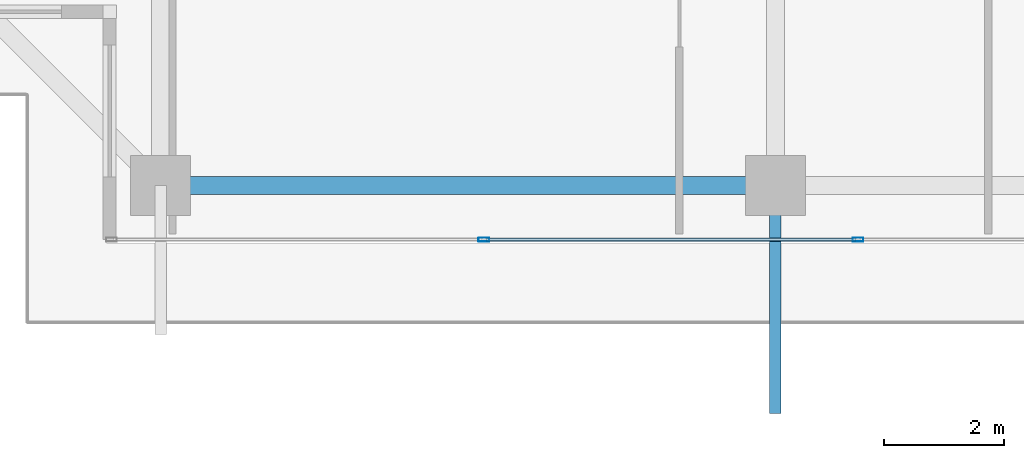
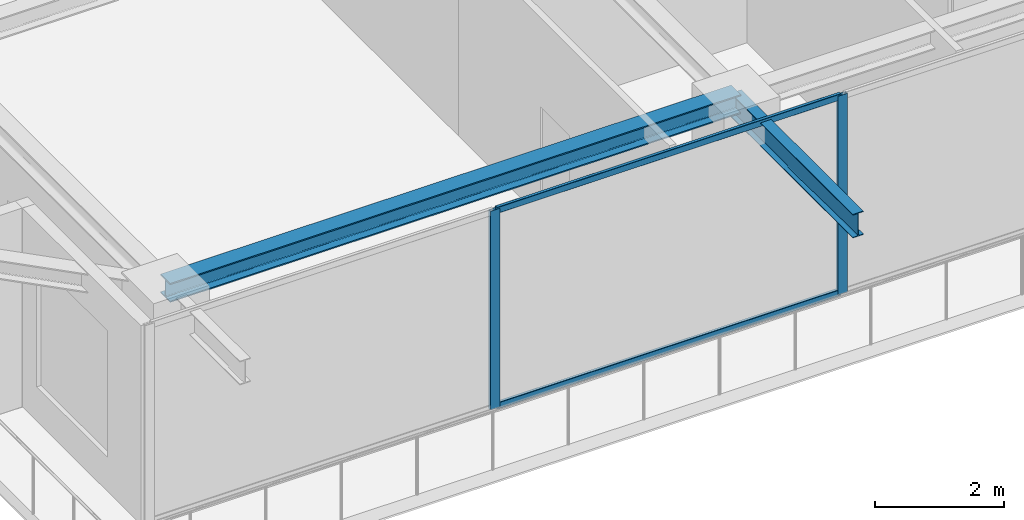
# One storey, part 5 of 37: 4 members, 2 beams, 1 element without a shape of its own.
"""IFC4 building model written with IfcOpenShell, lengths in metres."""

from ifc_helpers import new_model, si_unit, direction, frame, origin, origin_2d, place, context, subcontext, project, spatial, hollow_rectangle, i_section, extrude, source, transform, mapped, material, layer, layer_set, material_profile, profile_set, type_object, element, aggregate, save


model = new_model("IFC4")

# Units and contexts
model_context = context("Model", 3, precision=1e-05, world=origin(), true_north=direction((0.0, 1.0)))
body_context = subcontext(model_context, "Body", "Model", "MODEL_VIEW")
ifc_project = project(units=[si_unit("LENGTHUNIT", "METRE"), si_unit("AREAUNIT", "SQUARE_METRE"), si_unit("VOLUMEUNIT", "CUBIC_METRE"), si_unit("PLANEANGLEUNIT", "RADIAN"), si_unit("MASSUNIT", "GRAM", prefix="KILO")], contexts=[model_context])

# Site, building, storey
site_placement = place(None, origin())
site = spatial("IfcSite", under=ifc_project, at=site_placement, CompositionType="ELEMENT")
building_placement = place(site_placement, origin())
building = spatial("IfcBuilding", under=site, at=building_placement, Name="Serunith Strait Residences", CompositionType="ELEMENT")
storey_placement = place(building_placement, frame((0.0, 0.0, 317.75)))
storey = spatial("IfcBuildingStorey", under=building, at=storey_placement, Name="L79", CompositionType="ELEMENT", Elevation=317.75)

# Beams
ifc_material_1 = material(Name="Steel S355J2", Category="steel")
ifc_material_profile_1 = material_profile(ifc_material_1, i_section(OverallWidth=0.300048828125, OverallDepth=0.360107421875, WebThickness=0.012451171875, FlangeThickness=0.0224609375, FilletRadius=0.027099609375, at=origin_2d()), Name="HEB 360")
ifc_profile_set_1 = profile_set([ifc_material_profile_1], Name="Steel S355J2")
beam_type_1 = type_object("IfcBeamType", Name="BM-HEB360", PredefinedType="BEAM", material=ifc_profile_set_1)
shared_shape_1 = source(origin(), body_context, "Body", "SweptSolid", [
    extrude(i_section(OverallWidth=0.300048828125, OverallDepth=0.360107421875, WebThickness=0.012451171875, FlangeThickness=0.0224609375, FilletRadius=0.027099609375, at=origin_2d()), origin(), (0.0, 0.0, 1.0), 10.25),
])
beam_1_placement = place(storey_placement, frame((17.64990234375, 3.300048828125, 3.60693359375), z_axis=(1.0, 0.0, 0.0), x_axis=(0.0, 1.0, 0.0)))
element("IfcBeam", 1, at=beam_1_placement, inside=storey, type_object=beam_type_1, Name="L79 Perimeter Ring Beam 01", PredefinedType="BEAM", context=body_context, shape_type="MappedRepresentation", body=[
    mapped(shared_shape_1, transform((0.0, 0.0, 0.0), scale=1.0)),
])
ifc_material_profile_2 = material_profile(ifc_material_1, i_section(OverallWidth=0.18994140625, OverallDepth=0.449951171875, WebThickness=0.009521484375, FlangeThickness=0.0146484375, FilletRadius=0.02099609375, at=origin_2d()), Name="IPE 450")
ifc_profile_set_2 = profile_set([ifc_material_profile_2], Name="Steel S355J2")
beam_type_2 = type_object("IfcBeamType", Name="BM-IPE450", PredefinedType="JOIST", material=ifc_profile_set_2)
shared_shape_2 = source(origin(), body_context, "Body", "SweptSolid", [
    extrude(i_section(OverallWidth=0.18994140625, OverallDepth=0.449951171875, WebThickness=0.009521484375, FlangeThickness=0.0146484375, FilletRadius=0.02099609375, at=origin_2d()), origin(), (0.0, 0.0, 1.0), 3.800048828125),
])
beam_2_placement = place(storey_placement, frame((27.89990234375, 3.300048828125, 3.531982421875), z_axis=(0.0, -1.0, 0.0), x_axis=(1.0, 0.0, 0.0)))
element("IfcBeam", 2, at=beam_2_placement, inside=storey, type_object=beam_type_2, Name="L80 Cantilevered Balcony Rib TC-S2", PredefinedType="JOIST", context=body_context, shape_type="MappedRepresentation", body=[
    mapped(shared_shape_2, transform((0.0, 0.0, 0.0), scale=1.0)),
])

# Curtain wall, members
ifc_material_2 = material(Name="Brushed Stainless-Silver Aluminium", Category="aluminium")
ifc_layer = layer(ifc_material_2, 0.199951171875, Name="Brushed Stainless-Silver Aluminium")
ifc_layer_set = layer_set([ifc_layer], Name="Brushed Stainless-Silver Aluminium")
curtain_wall_type = type_object("IfcCurtainWallType", Name="CW-SYS5", PredefinedType="NOTDEFINED", material=ifc_layer_set)
curtain_wall_placement = place(storey_placement, origin())
curtain_wall = element("IfcCurtainWall", 3, at=curtain_wall_placement, inside=storey, type_object=curtain_wall_type, Name="L79 S Unitised Fritted Curtain Wall", PredefinedType="NOTDEFINED")
ifc_material_profile_3 = material_profile(ifc_material_2, hollow_rectangle(XDim=0.06005859375, YDim=0.1201171875, WallThickness=0.00341796875, InnerFilletRadius=0.00537109375, OuterFilletRadius=0.0087890625, at=origin_2d()), Name="ALU 120x60x3.5")
ifc_profile_set_3 = profile_set([ifc_material_profile_3], Name="Brushed Stainless-Silver Aluminium")
member_type_1 = type_object("IfcMemberType", Name="CW-SYS5-TRAN", PredefinedType="USERDEFINED", material=ifc_profile_set_3)
shared_shape_3 = source(origin(), body_context, "Body", "SweptSolid", [
    extrude(hollow_rectangle(XDim=0.06005859375, YDim=0.1201171875, WallThickness=0.00341796875, InnerFilletRadius=0.00537109375, OuterFilletRadius=0.0087890625, at=origin_2d()), origin(), (0.0, 0.0, 1.0), 6.175048828125),
])
member_1_placement = place(storey_placement, frame((23.072509765625, 2.39990234375, 0.030029296875), z_axis=(1.0, 0.0, 0.0), x_axis=(0.0, 1.0, 0.0)))
member_1 = element("IfcMember", 4, at=member_1_placement, type_object=member_type_1, Name="CW-5 transom 2.1", ObjectType="TRANSOM", PredefinedType="USERDEFINED", context=body_context, shape_type="MappedRepresentation", body=[
    mapped(shared_shape_3, transform((0.0, 0.0, 0.0), scale=1.0)),
])
member_2_placement = place(storey_placement, frame((23.072509765625, 2.39990234375, 3.7451171875), z_axis=(1.0, 0.0, 0.0), x_axis=(0.0, 1.0, 0.0)))
member_2 = element("IfcMember", 5, at=member_2_placement, type_object=member_type_1, Name="CW-5 transom 2.2", ObjectType="TRANSOM", PredefinedType="USERDEFINED", context=body_context, shape_type="MappedRepresentation", body=[
    mapped(shared_shape_3, transform((0.0, 0.0, 0.0), scale=1.0)),
])
ifc_material_profile_4 = material_profile(ifc_material_2, hollow_rectangle(XDim=0.06494140625, YDim=0.179931640625, WallThickness=0.00341796875, InnerFilletRadius=0.00537109375, OuterFilletRadius=0.0087890625, at=origin_2d()), Name="ALU 180x65x3.5")
ifc_profile_set_4 = profile_set([ifc_material_profile_4], Name="Brushed Stainless-Silver Aluminium")
member_type_2 = type_object("IfcMemberType", Name="CW-SYS5-MULL", PredefinedType="MULLION", material=ifc_profile_set_4)
shared_shape_4 = source(origin(), body_context, "Body", "SweptSolid", [
    extrude(hollow_rectangle(XDim=0.06494140625, YDim=0.179931640625, WallThickness=0.00341796875, InnerFilletRadius=0.00537109375, OuterFilletRadius=0.0087890625, at=origin_2d()), origin(), (0.0, 0.0, 1.0), 3.77490234375),
])
member_3_placement = place(storey_placement, frame((23.0400390625, 2.39990234375, 0.0), z_axis=(0.0, 0.0, 1.0), x_axis=(0.0, 1.0, 0.0)))
member_3 = element("IfcMember", 6, at=member_3_placement, type_object=member_type_2, Name="CW-5 mullion 2", PredefinedType="MULLION", context=body_context, shape_type="MappedRepresentation", body=[
    mapped(shared_shape_4, transform((0.0, 0.0, 0.0), scale=1.0)),
])
member_4_placement = place(storey_placement, frame((29.280029296875, 2.39990234375, 0.0), z_axis=(0.0, 0.0, 1.0), x_axis=(0.0, 1.0, 0.0)))
member_4 = element("IfcMember", 7, at=member_4_placement, type_object=member_type_2, Name="CW-5 mullion 3", PredefinedType="MULLION", context=body_context, shape_type="MappedRepresentation", body=[
    mapped(shared_shape_4, transform((0.0, 0.0, 0.0), scale=1.0)),
])
aggregate(curtain_wall, [member_3, member_4, member_1, member_2])

save(model, "model.ifc")
